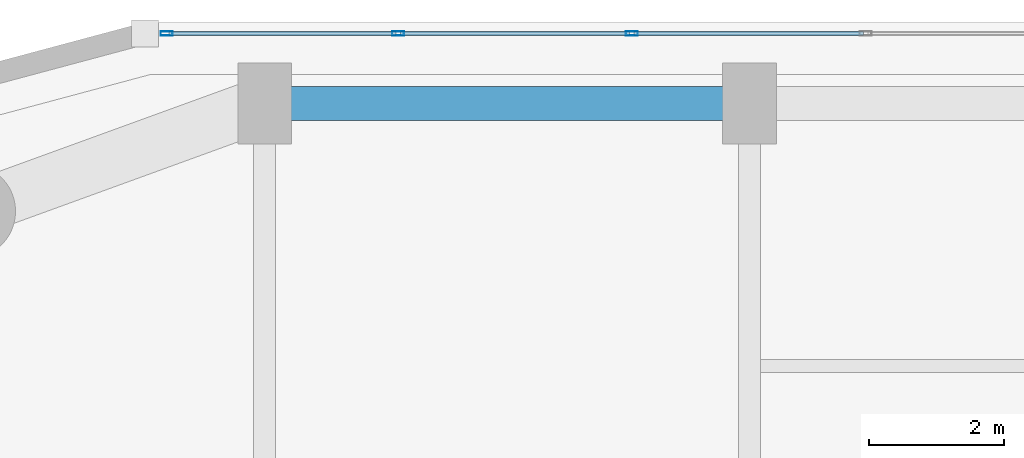
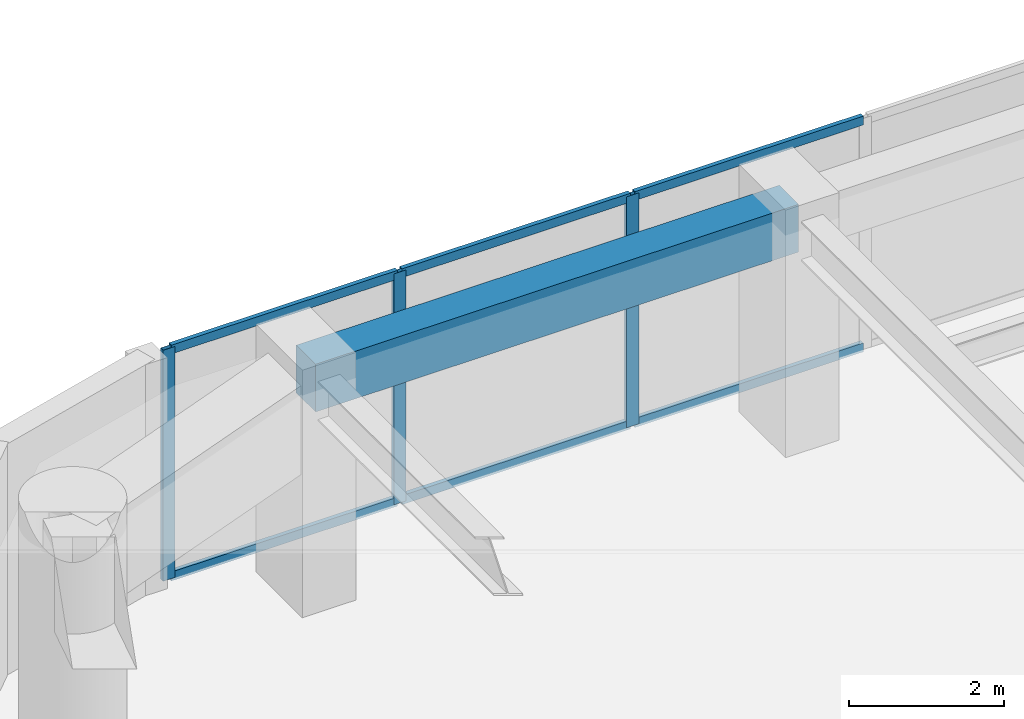
# One storey, part 13 of 24: 9 members, 1 beam, 1 element without a shape of its own.
"""IFC4 building model written with IfcOpenShell, lengths in metres."""

from ifc_helpers import new_model, si_unit, direction, frame, origin, origin_2d, place, context, subcontext, project, spatial, rectangle, hollow_rectangle, extrude, material, layer, layer_set, material_profile, profile_set, type_object, element, aggregate, save


model = new_model("IFC4")

# Units and contexts
model_context = context("Model", 3, precision=1e-05, world=origin(), true_north=direction((0.0, 1.0)))
body_context = subcontext(model_context, "Body", "Model", "MODEL_VIEW")
ifc_project = project(units=[si_unit("LENGTHUNIT", "METRE"), si_unit("AREAUNIT", "SQUARE_METRE"), si_unit("VOLUMEUNIT", "CUBIC_METRE"), si_unit("PLANEANGLEUNIT", "RADIAN"), si_unit("MASSUNIT", "GRAM", prefix="KILO")], contexts=[model_context])

# Site, building, storey
site_placement = place(None, origin())
site = spatial("IfcSite", under=ifc_project, at=site_placement, CompositionType="ELEMENT")
building_placement = place(site_placement, origin())
building = spatial("IfcBuilding", under=site, at=building_placement, Name="Kiyonajd Concourse Tower", CompositionType="ELEMENT")
storey_placement = place(building_placement, frame((0.0, 0.0, 137.699951171875)))
storey = spatial("IfcBuildingStorey", under=building, at=storey_placement, Name="L35", CompositionType="ELEMENT", Elevation=137.699951171875)

# Beam
ifc_material_1 = material(Name="Precast concrete C50/60", Category="concrete")
ifc_material_profile_1 = material_profile(ifc_material_1, rectangle(XDim=0.5, YDim=0.75, at=origin_2d()), Name="RCBM-500x750")
ifc_profile_set_1 = profile_set([ifc_material_profile_1], Name="Precast concrete C50/60")
beam_type = type_object("IfcBeamType", Name="BM-SPAN-RC", PredefinedType="SPANDREL", material=ifc_profile_set_1)
beam_placement = place(storey_placement, frame((32.39990234375, 61.199951171875, 3.26513671875), z_axis=(-1.0, 0.0, 0.0), x_axis=(0.0, -1.0, 0.0)))
element("IfcBeam", 1, at=beam_placement, inside=storey, type_object=beam_type, Name="L35 Perimeter Bundled Tube Spandrel", PredefinedType="SPANDREL", context=body_context, shape_type="SweptSolid", body=[
    extrude(rectangle(XDim=0.5, YDim=0.75, at=origin_2d()), origin(), (0.0, 0.0, 1.0), 7.199951171875),
])

# Curtain wall, members
ifc_material_2 = material(Name="Thermally Broken Anodised Aluminium", Category="aluminium")
ifc_layer = layer(ifc_material_2, 0.179931640625)
ifc_layer_set = layer_set([ifc_layer], Name="Thermally Broken Anodised Aluminium")
curtain_wall_type = type_object("IfcCurtainWallType", Name="CW-SYS-03", PredefinedType="NOTDEFINED", material=ifc_layer_set)
curtain_wall_placement = place(storey_placement, origin())
curtain_wall = element("IfcCurtainWall", 2, at=curtain_wall_placement, inside=storey, type_object=curtain_wall_type, Name="L35 Unitised Curtain Wall CW3", PredefinedType="NOTDEFINED")
ifc_material_profile_2 = material_profile(ifc_material_2, hollow_rectangle(XDim=0.06494140625, YDim=0.179931640625, WallThickness=0.00390625, at=origin_2d()), Name="MULL-65x180")
ifc_profile_set_2 = profile_set([ifc_material_profile_2], Name="Thermally Broken Anodised Aluminium")
member_type_1 = type_object("IfcMemberType", Name="MB-CW-MULL1", PredefinedType="MULLION", material=ifc_profile_set_2)
member_1_placement = place(storey_placement, frame((23.74365234375, 62.239990234375, 0.0), z_axis=(0.0, 0.0, 1.0), x_axis=(0.0, 1.0, 0.0)))
member_1 = element("IfcMember", 3, at=member_1_placement, type_object=member_type_1, Name="CW3 mullion 1", PredefinedType="MULLION", context=body_context, shape_type="SweptSolid", body=[
    extrude(hollow_rectangle(XDim=0.06494140625, YDim=0.179931640625, WallThickness=0.00390625, at=origin_2d()), origin(), (0.0, 0.0, 1.0), 3.64013671875),
])
member_2_placement = place(storey_placement, frame((27.181884765625, 62.239990234375, 0.0), z_axis=(0.0, 0.0, 1.0), x_axis=(0.0, 1.0, 0.0)))
member_2 = element("IfcMember", 4, at=member_2_placement, type_object=member_type_1, Name="CW3 mullion 2", PredefinedType="MULLION", context=body_context, shape_type="SweptSolid", body=[
    extrude(hollow_rectangle(XDim=0.06494140625, YDim=0.179931640625, WallThickness=0.00390625, at=origin_2d()), origin(), (0.0, 0.0, 1.0), 3.64013671875),
])
member_3_placement = place(storey_placement, frame((30.652587890625, 62.239990234375, 0.0), z_axis=(0.0, 0.0, 1.0), x_axis=(0.0, 1.0, 0.0)))
member_3 = element("IfcMember", 5, at=member_3_placement, type_object=member_type_1, Name="CW3 mullion 3", PredefinedType="MULLION", context=body_context, shape_type="SweptSolid", body=[
    extrude(hollow_rectangle(XDim=0.06494140625, YDim=0.179931640625, WallThickness=0.00390625, at=origin_2d()), origin(), (0.0, 0.0, 1.0), 3.64013671875),
])
ifc_material_profile_3 = material_profile(ifc_material_2, hollow_rectangle(XDim=0.06494140625, YDim=0.139892578125, WallThickness=0.00390625, at=origin_2d()), Name="TRAN-65x140")
ifc_profile_set_3 = profile_set([ifc_material_profile_3], Name="Thermally Broken Anodised Aluminium")
member_type_2 = type_object("IfcMemberType", Name="MB-CW-TRAN1", PredefinedType="USERDEFINED", material=ifc_profile_set_3)
member_4_placement = place(storey_placement, frame((23.776123046875, 62.239990234375, 0.032470703125), z_axis=(1.0, 0.0, 0.0), x_axis=(0.0, 1.0, 0.0)))
member_4 = element("IfcMember", 6, at=member_4_placement, type_object=member_type_2, Name="CW3 transom 1.1", ObjectType="TRANSOM", PredefinedType="USERDEFINED", context=body_context, shape_type="SweptSolid", body=[
    extrude(hollow_rectangle(XDim=0.06494140625, YDim=0.139892578125, WallThickness=0.00390625, at=origin_2d()), origin(), (0.0, 0.0, 1.0), 3.373291015625),
])
member_5_placement = place(storey_placement, frame((23.776123046875, 62.239990234375, 3.607666015625), z_axis=(1.0, 0.0, 0.0), x_axis=(0.0, 1.0, 0.0)))
member_5 = element("IfcMember", 7, at=member_5_placement, type_object=member_type_2, Name="CW3 transom 1.2", ObjectType="TRANSOM", PredefinedType="USERDEFINED", context=body_context, shape_type="SweptSolid", body=[
    extrude(hollow_rectangle(XDim=0.06494140625, YDim=0.139892578125, WallThickness=0.00390625, at=origin_2d()), origin(), (0.0, 0.0, 1.0), 3.373291015625),
])
member_6_placement = place(storey_placement, frame((27.21435546875, 62.239990234375, 0.032470703125), z_axis=(1.0, 0.0, 0.0), x_axis=(0.0, 1.0, 0.0)))
member_6 = element("IfcMember", 8, at=member_6_placement, type_object=member_type_2, Name="CW3 transom 2.1", ObjectType="TRANSOM", PredefinedType="USERDEFINED", context=body_context, shape_type="SweptSolid", body=[
    extrude(hollow_rectangle(XDim=0.06494140625, YDim=0.139892578125, WallThickness=0.00390625, at=origin_2d()), origin(), (0.0, 0.0, 1.0), 3.40576171875),
])
member_7_placement = place(storey_placement, frame((27.21435546875, 62.239990234375, 3.607666015625), z_axis=(1.0, 0.0, 0.0), x_axis=(0.0, 1.0, 0.0)))
member_7 = element("IfcMember", 9, at=member_7_placement, type_object=member_type_2, Name="CW3 transom 2.2", ObjectType="TRANSOM", PredefinedType="USERDEFINED", context=body_context, shape_type="SweptSolid", body=[
    extrude(hollow_rectangle(XDim=0.06494140625, YDim=0.139892578125, WallThickness=0.00390625, at=origin_2d()), origin(), (0.0, 0.0, 1.0), 3.40576171875),
])
member_8_placement = place(storey_placement, frame((30.68505859375, 62.239990234375, 0.032470703125), z_axis=(1.0, 0.0, 0.0), x_axis=(0.0, 1.0, 0.0)))
member_8 = element("IfcMember", 10, at=member_8_placement, type_object=member_type_2, Name="CW3 transom 3.1", ObjectType="TRANSOM", PredefinedType="USERDEFINED", context=body_context, shape_type="SweptSolid", body=[
    extrude(hollow_rectangle(XDim=0.06494140625, YDim=0.139892578125, WallThickness=0.00390625, at=origin_2d()), origin(), (0.0, 0.0, 1.0), 3.40576171875),
])
member_9_placement = place(storey_placement, frame((30.68505859375, 62.239990234375, 3.607666015625), z_axis=(1.0, 0.0, 0.0), x_axis=(0.0, 1.0, 0.0)))
member_9 = element("IfcMember", 11, at=member_9_placement, type_object=member_type_2, Name="CW3 transom 3.2", ObjectType="TRANSOM", PredefinedType="USERDEFINED", context=body_context, shape_type="SweptSolid", body=[
    extrude(hollow_rectangle(XDim=0.06494140625, YDim=0.139892578125, WallThickness=0.00390625, at=origin_2d()), origin(), (0.0, 0.0, 1.0), 3.40576171875),
])
aggregate(curtain_wall, [member_1, member_2, member_3, member_4, member_5, member_6, member_7, member_8, member_9])

save(model, "model.ifc")
